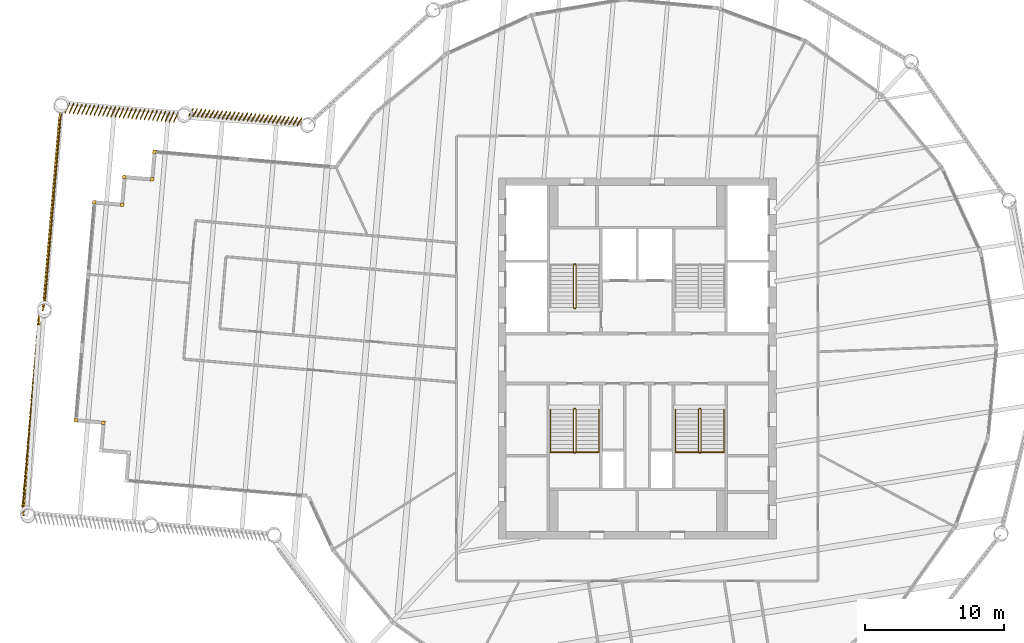
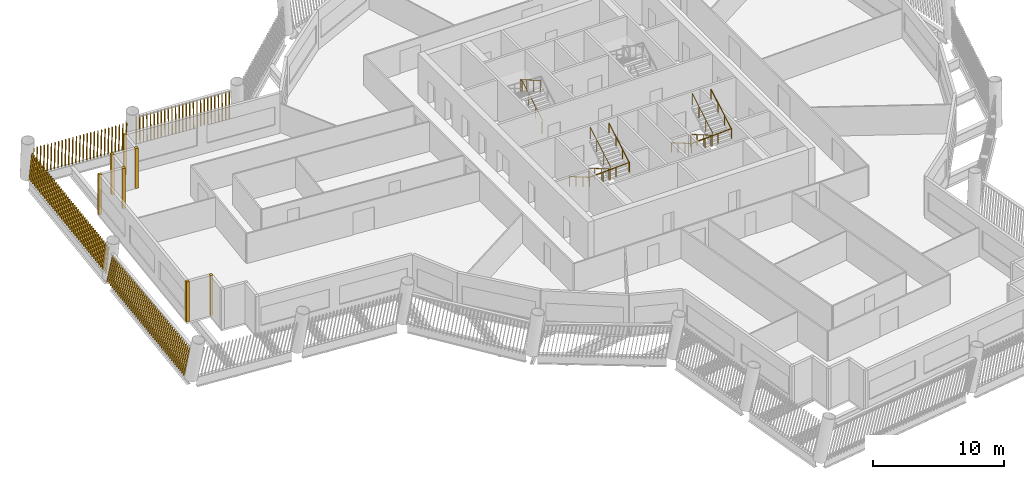
# One storey, part 11 of 14: 11 shading devices, 5 railings.
"""IFC4 building model written with IfcOpenShell, lengths in metres."""

from ifc_helpers import new_model, si_unit, direction, frame, frame_2d, origin, origin_2d, place, context, subcontext, project, spatial, rectangle, circle, composite_profile, extrude, material, type_object, element, save


model = new_model("IFC4")

# Units and contexts
model_context = context("Model", 3, precision=1e-05, world=origin(), true_north=direction((0.0, 1.0)))
body_context = subcontext(model_context, "Body", "Model", "MODEL_VIEW")
ifc_project = project(units=[si_unit("LENGTHUNIT", "METRE"), si_unit("AREAUNIT", "SQUARE_METRE"), si_unit("VOLUMEUNIT", "CUBIC_METRE"), si_unit("PLANEANGLEUNIT", "RADIAN"), si_unit("MASSUNIT", "GRAM", prefix="KILO")], contexts=[model_context])

# Site, building, storey
site_placement = place(None, origin())
site = spatial("IfcSite", under=ifc_project, at=site_placement, CompositionType="ELEMENT")
building_placement = place(site_placement, origin())
building = spatial("IfcBuilding", under=site, at=building_placement, Name="Tarsis Ring Headquarters", CompositionType="ELEMENT")
storey_placement = place(building_placement, frame((0.0, 0.0, 266.89990234375)))
storey = spatial("IfcBuildingStorey", under=building, at=storey_placement, Name="L62", CompositionType="ELEMENT", Elevation=266.89990234375)

# Railings
ifc_material_1 = material(Name="Steel S355", Category="steel")
railing_type_1 = type_object("IfcRailingType", Name="Core stair guard 1100", PredefinedType="GUARDRAIL", material=ifc_material_1)
railing_1_placement = place(storey_placement, frame((-4.5400390625, 3.610107421875, 0.0)))
element("IfcRailing", 1, at=railing_1_placement, inside=storey, type_object=railing_type_1, Name="L62 ST1 stair guard 1", PredefinedType="GUARDRAIL", context=body_context, shape_type="SweptSolid", body=[
    extrude(circle(Radius=0.02392578125, at=origin_2d()), frame((0.0, 0.0, 1.076171875), z_axis=(1.0, 0.0, 0.0), x_axis=(0.0, 1.0, 0.0)), (0.0, 0.0, 1.0), 0.080078125),
    extrude(circle(Radius=0.02392578125, at=origin_2d()), frame((0.080078125, 0.0, 1.076171875), z_axis=(0.282336740067, 0.280959487676, 0.917250092119), x_axis=(-0.705375805398, 0.708833529934, 0.0)), (0.0, 0.0, 1.0), 0.17724609375),
    extrude(circle(Radius=0.02392578125, at=origin_2d()), frame((0.130126953125, 0.0498046875, 1.23876953125), z_axis=(0.0, 0.864890721111, 0.501960198159), x_axis=(-1.0, 0.0, 0.0)), (0.0, 0.0, 1.0), 3.561279296875),
    extrude(circle(Radius=0.02392578125, at=origin_2d()), frame((0.130126953125, 3.1298828125, 3.0263671875), z_axis=(-0.707106781187, 0.707106781187, 0.0), x_axis=(-0.707106781187, -0.707106781187, 0.0)), (0.0, 0.0, 1.0), 0.07080078125),
    extrude(circle(Radius=0.02392578125, at=origin_2d()), frame((0.080078125, 3.179931640625, 3.0263671875), z_axis=(-1.0, 0.0, 0.0), x_axis=(0.0, -1.0, 0.0)), (0.0, 0.0, 1.0), 0.080078125),
    extrude(circle(Radius=0.02392578125, at=origin_2d()), frame((0.0, 3.179931640625, 3.0263671875), z_axis=(-0.282583949758, -0.282583949758, 0.916674763849), x_axis=(0.707106781187, -0.707106781187, 0.0)), (0.0, 0.0, 1.0), 0.177001953125),
    extrude(circle(Radius=0.02392578125, at=origin_2d()), frame((-0.050048828125, 3.1298828125, 3.1884765625), z_axis=(0.0, -0.864890721111, 0.501960198159), x_axis=(1.0, 0.0, 0.0)), (0.0, 0.0, 1.0), 3.561279296875),
    extrude(circle(Radius=0.02099609375, at=origin_2d()), origin(), (0.0, 0.0, 1.0), 1.052001953125),
    extrude(circle(Radius=0.02099609375, at=origin_2d()), frame((0.080078125, 0.0, 0.0)), (0.0, 0.0, 1.0), 1.052001953125),
    extrude(circle(Radius=0.02099609375, at=origin_2d()), frame((0.130126953125, 0.0498046875, 0.16259765625)), (0.0, 0.0, 1.0), 1.052001953125),
    extrude(circle(Radius=0.02099609375, at=origin_2d()), frame((0.130126953125, 1.076416015625, 0.758544921875)), (0.0, 0.0, 1.0), 1.052001953125),
    extrude(circle(Radius=0.02099609375, at=origin_2d()), frame((0.130126953125, 2.103271484375, 1.354248046875)), (0.0, 0.0, 1.0), 1.052001953125),
    extrude(circle(Radius=0.02099609375, at=origin_2d()), frame((0.130126953125, 3.1298828125, 1.9501953125)), (0.0, 0.0, 1.0), 1.052001953125),
    extrude(circle(Radius=0.02099609375, at=origin_2d()), frame((0.080078125, 3.179931640625, 1.9501953125)), (0.0, 0.0, 1.0), 1.052001953125),
    extrude(circle(Radius=0.02099609375, at=origin_2d()), frame((0.0, 3.179931640625, 1.9501953125)), (0.0, 0.0, 1.0), 1.052001953125),
    extrude(circle(Radius=0.02099609375, at=origin_2d()), frame((-0.050048828125, 3.1298828125, 2.112548828125)), (0.0, 0.0, 1.0), 1.052001953125),
    extrude(circle(Radius=0.02099609375, at=origin_2d()), frame((-0.050048828125, 2.103271484375, 2.70849609375)), (0.0, 0.0, 1.0), 1.052001953125),
    extrude(circle(Radius=0.02099609375, at=origin_2d()), frame((-0.050048828125, 1.076416015625, 3.30419921875)), (0.0, 0.0, 1.0), 1.052001953125),
    extrude(circle(Radius=0.02099609375, at=origin_2d()), frame((-0.050048828125, 0.0498046875, 3.900146484375)), (0.0, 0.0, 1.0), 1.052001953125),
])
railing_2_placement = place(storey_placement, frame((-4.4599609375, -3.610107421875, 0.0)))
element("IfcRailing", 2, at=railing_2_placement, inside=storey, type_object=railing_type_1, Name="L62 ST3 stair guard 1", PredefinedType="GUARDRAIL", context=body_context, shape_type="SweptSolid", body=[
    extrude(circle(Radius=0.02392578125, at=origin_2d()), frame((0.0, 0.0, 1.076171875), z_axis=(-1.0, 0.0, 0.0), x_axis=(0.0, -1.0, 0.0)), (0.0, 0.0, 1.0), 0.080078125),
    extrude(circle(Radius=0.02392578125, at=origin_2d()), frame((-0.080078125, 0.0, 1.076171875), z_axis=(-0.282336740067, -0.280959487676, 0.917250092119), x_axis=(0.705375805398, -0.708833529934, 0.0)), (0.0, 0.0, 1.0), 0.17724609375),
    extrude(circle(Radius=0.02392578125, at=origin_2d()), frame((-0.130126953125, -0.0498046875, 1.23876953125), z_axis=(0.0, -0.864890721111, 0.501960198159), x_axis=(1.0, 0.0, 0.0)), (0.0, 0.0, 1.0), 3.561279296875),
    extrude(circle(Radius=0.02392578125, at=origin_2d()), frame((-0.130126953125, -3.1298828125, 3.0263671875), z_axis=(0.707106781187, -0.707106781187, 0.0), x_axis=(0.707106781187, 0.707106781187, 0.0)), (0.0, 0.0, 1.0), 0.07080078125),
    extrude(circle(Radius=0.02392578125, at=origin_2d()), frame((-0.080078125, -3.179931640625, 3.0263671875), z_axis=(1.0, 0.0, 0.0), x_axis=(0.0, 1.0, 0.0)), (0.0, 0.0, 1.0), 0.080078125),
    extrude(circle(Radius=0.02392578125, at=origin_2d()), frame((0.0, -3.179931640625, 3.0263671875), z_axis=(0.282583949758, 0.282583949758, 0.916674763849), x_axis=(-0.707106781187, 0.707106781187, 0.0)), (0.0, 0.0, 1.0), 0.177001953125),
    extrude(circle(Radius=0.02392578125, at=origin_2d()), frame((0.050048828125, -3.1298828125, 3.1884765625), z_axis=(0.0, 0.864890721111, 0.501960198159), x_axis=(-1.0, 0.0, 0.0)), (0.0, 0.0, 1.0), 3.561279296875),
    extrude(circle(Radius=0.02099609375, at=origin_2d()), origin(), (0.0, 0.0, 1.0), 1.052001953125),
    extrude(circle(Radius=0.02099609375, at=origin_2d()), frame((-0.080078125, 0.0, 0.0)), (0.0, 0.0, 1.0), 1.052001953125),
    extrude(circle(Radius=0.02099609375, at=origin_2d()), frame((-0.130126953125, -0.0498046875, 0.16259765625)), (0.0, 0.0, 1.0), 1.052001953125),
    extrude(circle(Radius=0.02099609375, at=origin_2d()), frame((-0.130126953125, -1.076416015625, 0.758544921875)), (0.0, 0.0, 1.0), 1.052001953125),
    extrude(circle(Radius=0.02099609375, at=origin_2d()), frame((-0.130126953125, -2.103271484375, 1.354248046875)), (0.0, 0.0, 1.0), 1.052001953125),
    extrude(circle(Radius=0.02099609375, at=origin_2d()), frame((-0.130126953125, -3.1298828125, 1.9501953125)), (0.0, 0.0, 1.0), 1.052001953125),
    extrude(circle(Radius=0.02099609375, at=origin_2d()), frame((-0.080078125, -3.179931640625, 1.9501953125)), (0.0, 0.0, 1.0), 1.052001953125),
    extrude(circle(Radius=0.02099609375, at=origin_2d()), frame((0.0, -3.179931640625, 1.9501953125)), (0.0, 0.0, 1.0), 1.052001953125),
    extrude(circle(Radius=0.02099609375, at=origin_2d()), frame((0.050048828125, -3.1298828125, 2.112548828125)), (0.0, 0.0, 1.0), 1.052001953125),
    extrude(circle(Radius=0.02099609375, at=origin_2d()), frame((0.050048828125, -2.103271484375, 2.70849609375)), (0.0, 0.0, 1.0), 1.052001953125),
    extrude(circle(Radius=0.02099609375, at=origin_2d()), frame((0.050048828125, -1.076416015625, 3.30419921875)), (0.0, 0.0, 1.0), 1.052001953125),
    extrude(circle(Radius=0.02099609375, at=origin_2d()), frame((0.050048828125, -0.0498046875, 3.900146484375)), (0.0, 0.0, 1.0), 1.052001953125),
])
railing_3_placement = place(storey_placement, frame((4.5400390625, -3.610107421875, 0.0)))
element("IfcRailing", 3, at=railing_3_placement, inside=storey, type_object=railing_type_1, Name="L62 ST4 stair guard 1", PredefinedType="GUARDRAIL", context=body_context, shape_type="SweptSolid", body=[
    extrude(circle(Radius=0.02392578125, at=origin_2d()), frame((0.0, 0.0, 1.076171875), z_axis=(-1.0, 0.0, 0.0), x_axis=(0.0, -1.0, 0.0)), (0.0, 0.0, 1.0), 0.080078125),
    extrude(circle(Radius=0.02392578125, at=origin_2d()), frame((-0.080078125, 0.0, 1.076171875), z_axis=(-0.282336740067, -0.280959487676, 0.917250092119), x_axis=(0.705375805398, -0.708833529934, 0.0)), (0.0, 0.0, 1.0), 0.17724609375),
    extrude(circle(Radius=0.02392578125, at=origin_2d()), frame((-0.130126953125, -0.0498046875, 1.23876953125), z_axis=(0.0, -0.864890721111, 0.501960198159), x_axis=(1.0, 0.0, 0.0)), (0.0, 0.0, 1.0), 3.561279296875),
    extrude(circle(Radius=0.02392578125, at=origin_2d()), frame((-0.130126953125, -3.1298828125, 3.0263671875), z_axis=(0.707106781187, -0.707106781187, 0.0), x_axis=(0.707106781187, 0.707106781187, 0.0)), (0.0, 0.0, 1.0), 0.07080078125),
    extrude(circle(Radius=0.02392578125, at=origin_2d()), frame((-0.080078125, -3.179931640625, 3.0263671875), z_axis=(1.0, 0.0, 0.0), x_axis=(0.0, 1.0, 0.0)), (0.0, 0.0, 1.0), 0.080078125),
    extrude(circle(Radius=0.02392578125, at=origin_2d()), frame((0.0, -3.179931640625, 3.0263671875), z_axis=(0.282583949758, 0.282583949758, 0.916674763849), x_axis=(-0.707106781187, 0.707106781187, 0.0)), (0.0, 0.0, 1.0), 0.177001953125),
    extrude(circle(Radius=0.02392578125, at=origin_2d()), frame((0.050048828125, -3.1298828125, 3.1884765625), z_axis=(0.0, 0.864890721111, 0.501960198159), x_axis=(-1.0, 0.0, 0.0)), (0.0, 0.0, 1.0), 3.561279296875),
    extrude(circle(Radius=0.02099609375, at=origin_2d()), origin(), (0.0, 0.0, 1.0), 1.052001953125),
    extrude(circle(Radius=0.02099609375, at=origin_2d()), frame((-0.080078125, 0.0, 0.0)), (0.0, 0.0, 1.0), 1.052001953125),
    extrude(circle(Radius=0.02099609375, at=origin_2d()), frame((-0.130126953125, -0.0498046875, 0.16259765625)), (0.0, 0.0, 1.0), 1.052001953125),
    extrude(circle(Radius=0.02099609375, at=origin_2d()), frame((-0.130126953125, -1.076416015625, 0.758544921875)), (0.0, 0.0, 1.0), 1.052001953125),
    extrude(circle(Radius=0.02099609375, at=origin_2d()), frame((-0.130126953125, -2.103271484375, 1.354248046875)), (0.0, 0.0, 1.0), 1.052001953125),
    extrude(circle(Radius=0.02099609375, at=origin_2d()), frame((-0.130126953125, -3.1298828125, 1.9501953125)), (0.0, 0.0, 1.0), 1.052001953125),
    extrude(circle(Radius=0.02099609375, at=origin_2d()), frame((-0.080078125, -3.179931640625, 1.9501953125)), (0.0, 0.0, 1.0), 1.052001953125),
    extrude(circle(Radius=0.02099609375, at=origin_2d()), frame((0.0, -3.179931640625, 1.9501953125)), (0.0, 0.0, 1.0), 1.052001953125),
    extrude(circle(Radius=0.02099609375, at=origin_2d()), frame((0.050048828125, -3.1298828125, 2.112548828125)), (0.0, 0.0, 1.0), 1.052001953125),
    extrude(circle(Radius=0.02099609375, at=origin_2d()), frame((0.050048828125, -2.103271484375, 2.70849609375)), (0.0, 0.0, 1.0), 1.052001953125),
    extrude(circle(Radius=0.02099609375, at=origin_2d()), frame((0.050048828125, -1.076416015625, 3.30419921875)), (0.0, 0.0, 1.0), 1.052001953125),
    extrude(circle(Radius=0.02099609375, at=origin_2d()), frame((0.050048828125, -0.0498046875, 3.900146484375)), (0.0, 0.0, 1.0), 1.052001953125),
])
railing_type_2 = type_object("IfcRailingType", Name="Core stair handrail 900", PredefinedType="HANDRAIL", material=ifc_material_1)
railing_4_placement = place(storey_placement, frame((-6.25, -3.659912109375, 0.16259765625)))
element("IfcRailing", 4, at=railing_4_placement, inside=storey, type_object=railing_type_2, Name="L62 ST3 stair handrail 1", PredefinedType="HANDRAIL", context=body_context, shape_type="SweptSolid", body=[
    extrude(circle(Radius=0.02392578125, at=origin_2d()), frame((0.0, 0.0, 0.8759765625), z_axis=(0.0, -0.864890721111, 0.501960198159), x_axis=(1.0, 0.0, 0.0)), (0.0, 0.0, 1.0), 3.561279296875),
    extrude(circle(Radius=0.02392578125, at=origin_2d()), frame((0.0, -3.080078125, 2.66357421875), z_axis=(0.998925869279, 0.0, 0.04633689335), x_axis=(0.0, 1.0, 0.0)), (0.0, 0.0, 1.0), 3.503662109375),
    extrude(circle(Radius=0.02392578125, at=origin_2d()), frame((3.5, -3.080078125, 2.82568359375), z_axis=(0.0, 0.864890721111, 0.501960198159), x_axis=(-1.0, 0.0, 0.0)), (0.0, 0.0, 1.0), 3.561279296875),
    extrude(circle(Radius=0.02099609375, at=origin_2d()), origin(), (0.0, 0.0, 1.0), 0.851806640625),
    extrude(circle(Radius=0.02099609375, at=origin_2d()), frame((0.0, -1.026611328125, 0.595947265625)), (0.0, 0.0, 1.0), 0.851806640625),
    extrude(circle(Radius=0.02099609375, at=origin_2d()), frame((0.0, -2.053466796875, 1.191650390625)), (0.0, 0.0, 1.0), 0.851806640625),
    extrude(circle(Radius=0.02099609375, at=origin_2d()), frame((0.0, -3.080078125, 1.78759765625)), (0.0, 0.0, 1.0), 0.851806640625),
    extrude(circle(Radius=0.02099609375, at=origin_2d()), frame((1.166748046875, -3.080078125, 1.841796875)), (0.0, 0.0, 1.0), 0.851806640625),
    extrude(circle(Radius=0.02099609375, at=origin_2d()), frame((2.333251953125, -3.080078125, 1.895751953125)), (0.0, 0.0, 1.0), 0.851806640625),
    extrude(circle(Radius=0.02099609375, at=origin_2d()), frame((3.5, -3.080078125, 1.949951171875)), (0.0, 0.0, 1.0), 0.851806640625),
    extrude(circle(Radius=0.02099609375, at=origin_2d()), frame((3.5, -2.053466796875, 2.5458984375)), (0.0, 0.0, 1.0), 0.851806640625),
    extrude(circle(Radius=0.02099609375, at=origin_2d()), frame((3.5, -1.026611328125, 3.1416015625)), (0.0, 0.0, 1.0), 0.851806640625),
    extrude(circle(Radius=0.02099609375, at=origin_2d()), frame((3.5, 0.0, 3.737548828125)), (0.0, 0.0, 1.0), 0.851806640625),
])
railing_5_placement = place(storey_placement, frame((2.75, -3.659912109375, 0.16259765625)))
element("IfcRailing", 5, at=railing_5_placement, inside=storey, type_object=railing_type_2, Name="L62 ST4 stair handrail 1", PredefinedType="HANDRAIL", context=body_context, shape_type="SweptSolid", body=[
    extrude(circle(Radius=0.02392578125, at=origin_2d()), frame((0.0, 0.0, 0.8759765625), z_axis=(0.0, -0.864890721111, 0.501960198159), x_axis=(1.0, 0.0, 0.0)), (0.0, 0.0, 1.0), 3.561279296875),
    extrude(circle(Radius=0.02392578125, at=origin_2d()), frame((0.0, -3.080078125, 2.66357421875), z_axis=(0.998925869279, 0.0, 0.04633689335), x_axis=(0.0, 1.0, 0.0)), (0.0, 0.0, 1.0), 3.503662109375),
    extrude(circle(Radius=0.02392578125, at=origin_2d()), frame((3.5, -3.080078125, 2.82568359375), z_axis=(0.0, 0.864890721111, 0.501960198159), x_axis=(-1.0, 0.0, 0.0)), (0.0, 0.0, 1.0), 3.561279296875),
    extrude(circle(Radius=0.02099609375, at=origin_2d()), origin(), (0.0, 0.0, 1.0), 0.851806640625),
    extrude(circle(Radius=0.02099609375, at=origin_2d()), frame((0.0, -1.026611328125, 0.595947265625)), (0.0, 0.0, 1.0), 0.851806640625),
    extrude(circle(Radius=0.02099609375, at=origin_2d()), frame((0.0, -2.053466796875, 1.191650390625)), (0.0, 0.0, 1.0), 0.851806640625),
    extrude(circle(Radius=0.02099609375, at=origin_2d()), frame((0.0, -3.080078125, 1.78759765625)), (0.0, 0.0, 1.0), 0.851806640625),
    extrude(circle(Radius=0.02099609375, at=origin_2d()), frame((1.166748046875, -3.080078125, 1.841796875)), (0.0, 0.0, 1.0), 0.851806640625),
    extrude(circle(Radius=0.02099609375, at=origin_2d()), frame((2.333251953125, -3.080078125, 1.895751953125)), (0.0, 0.0, 1.0), 0.851806640625),
    extrude(circle(Radius=0.02099609375, at=origin_2d()), frame((3.5, -3.080078125, 1.949951171875)), (0.0, 0.0, 1.0), 0.851806640625),
    extrude(circle(Radius=0.02099609375, at=origin_2d()), frame((3.5, -2.053466796875, 2.5458984375)), (0.0, 0.0, 1.0), 0.851806640625),
    extrude(circle(Radius=0.02099609375, at=origin_2d()), frame((3.5, -1.026611328125, 3.1416015625)), (0.0, 0.0, 1.0), 0.851806640625),
    extrude(circle(Radius=0.02099609375, at=origin_2d()), frame((3.5, 0.0, 3.737548828125)), (0.0, 0.0, 1.0), 0.851806640625),
])

# Shading devices
ifc_material_2 = material(Name="Terracotta baguette", Category="masonry")
shading_device_type_1 = type_object("IfcShadingDeviceType", Name="Terracotta baguette screen", PredefinedType="USERDEFINED", material=ifc_material_2)
shading_device_1_placement = place(storey_placement, frame((-24.112060546875, 17.288818359375, 0.0), z_axis=(0.0, 0.0, 1.0), x_axis=(-0.996385318833, 0.085084033613, 0.0)))
element("IfcShadingDevice", 6, at=shading_device_1_placement, inside=storey, type_object=shading_device_type_1, Name="Baguette screen L62-15", ObjectType="Terracotta baguette screen", PredefinedType="USERDEFINED", context=body_context, shape_type="SweptSolid", body=[
    extrude(composite_profile([rectangle(XDim=0.06005859375, YDim=0.1201171875, at=frame_2d((0.030029296875, 0.0))), rectangle(XDim=0.06005859375, YDim=0.1201171875, at=frame_2d((0.33154296875, 0.0))), rectangle(XDim=0.06005859375, YDim=0.1201171875, at=frame_2d((0.63330078125, 0.0))), rectangle(XDim=0.06005859375, YDim=0.1201171875, at=frame_2d((0.934814453125, 0.0))), rectangle(XDim=0.06005859375, YDim=0.1201171875, at=frame_2d((1.236572265625, 0.0))), rectangle(XDim=0.06005859375, YDim=0.1201171875, at=frame_2d((1.5380859375, 0.0))), rectangle(XDim=0.06005859375, YDim=0.1201171875, at=frame_2d((1.83984375, 0.0))), rectangle(XDim=0.06005859375, YDim=0.1201171875, at=frame_2d((2.141357421875, 0.0))), rectangle(XDim=0.06005859375, YDim=0.1201171875, at=frame_2d((2.443115234375, 0.0))), rectangle(XDim=0.06005859375, YDim=0.1201171875, at=frame_2d((2.74462890625, 0.0))), rectangle(XDim=0.06005859375, YDim=0.1201171875, at=frame_2d((3.04638671875, 0.0))), rectangle(XDim=0.06005859375, YDim=0.1201171875, at=frame_2d((3.347900390625, 0.0))), rectangle(XDim=0.06005859375, YDim=0.1201171875, at=frame_2d((3.649658203125, 0.0))), rectangle(XDim=0.06005859375, YDim=0.1201171875, at=frame_2d((3.951171875, 0.0))), rectangle(XDim=0.06005859375, YDim=0.1201171875, at=frame_2d((4.252685546875, 0.0))), rectangle(XDim=0.06005859375, YDim=0.1201171875, at=frame_2d((4.554443359375, 0.0))), rectangle(XDim=0.06005859375, YDim=0.1201171875, at=frame_2d((4.85595703125, 0.0))), rectangle(XDim=0.06005859375, YDim=0.1201171875, at=frame_2d((5.15771484375, 0.0))), rectangle(XDim=0.06005859375, YDim=0.1201171875, at=frame_2d((5.459228515625, 0.0))), rectangle(XDim=0.06005859375, YDim=0.1201171875, at=frame_2d((5.760986328125, 0.0))), rectangle(XDim=0.06005859375, YDim=0.1201171875, at=frame_2d((6.0625, 0.0))), rectangle(XDim=0.06005859375, YDim=0.1201171875, at=frame_2d((6.3642578125, 0.0))), rectangle(XDim=0.06005859375, YDim=0.1201171875, at=frame_2d((6.665771484375, 0.0))), rectangle(XDim=0.06005859375, YDim=0.1201171875, at=frame_2d((6.967529296875, 0.0))), rectangle(XDim=0.06005859375, YDim=0.1201171875, at=frame_2d((7.26904296875, 0.0))), rectangle(XDim=0.06005859375, YDim=0.1201171875, at=frame_2d((7.57080078125, 0.0))), rectangle(XDim=0.06005859375, YDim=0.1201171875, at=frame_2d((7.872314453125, 0.0)))]), origin(), (0.086100267901, 0.170723852944, 0.981549850952), 3.02392578125),
])
shading_device_2_placement = place(storey_placement, frame((-33.01416015625, 17.672607421875, 0.0), z_axis=(0.0, 0.0, 1.0), x_axis=(-0.996385207155, 0.085055766676, 0.0)))
element("IfcShadingDevice", 7, at=shading_device_2_placement, inside=storey, type_object=shading_device_type_1, Name="Baguette screen L62-16", ObjectType="Terracotta baguette screen", PredefinedType="USERDEFINED", context=body_context, shape_type="SweptSolid", body=[
    extrude(composite_profile([rectangle(XDim=0.06005859375, YDim=0.1201171875, at=frame_2d((0.030029296875, 0.0))), rectangle(XDim=0.06005859375, YDim=0.1201171875, at=frame_2d((0.33154296875, 0.0))), rectangle(XDim=0.06005859375, YDim=0.1201171875, at=frame_2d((0.63330078125, 0.0))), rectangle(XDim=0.06005859375, YDim=0.1201171875, at=frame_2d((0.934814453125, 0.0))), rectangle(XDim=0.06005859375, YDim=0.1201171875, at=frame_2d((1.236572265625, 0.0))), rectangle(XDim=0.06005859375, YDim=0.1201171875, at=frame_2d((1.5380859375, 0.0))), rectangle(XDim=0.06005859375, YDim=0.1201171875, at=frame_2d((1.83984375, 0.0))), rectangle(XDim=0.06005859375, YDim=0.1201171875, at=frame_2d((2.141357421875, 0.0))), rectangle(XDim=0.06005859375, YDim=0.1201171875, at=frame_2d((2.443115234375, 0.0))), rectangle(XDim=0.06005859375, YDim=0.1201171875, at=frame_2d((2.74462890625, 0.0))), rectangle(XDim=0.06005859375, YDim=0.1201171875, at=frame_2d((3.04638671875, 0.0))), rectangle(XDim=0.06005859375, YDim=0.1201171875, at=frame_2d((3.347900390625, 0.0))), rectangle(XDim=0.06005859375, YDim=0.1201171875, at=frame_2d((3.649658203125, 0.0))), rectangle(XDim=0.06005859375, YDim=0.1201171875, at=frame_2d((3.951171875, 0.0))), rectangle(XDim=0.06005859375, YDim=0.1201171875, at=frame_2d((4.252685546875, 0.0))), rectangle(XDim=0.06005859375, YDim=0.1201171875, at=frame_2d((4.554443359375, 0.0))), rectangle(XDim=0.06005859375, YDim=0.1201171875, at=frame_2d((4.85595703125, 0.0))), rectangle(XDim=0.06005859375, YDim=0.1201171875, at=frame_2d((5.15771484375, 0.0))), rectangle(XDim=0.06005859375, YDim=0.1201171875, at=frame_2d((5.459228515625, 0.0))), rectangle(XDim=0.06005859375, YDim=0.1201171875, at=frame_2d((5.760986328125, 0.0))), rectangle(XDim=0.06005859375, YDim=0.1201171875, at=frame_2d((6.0625, 0.0))), rectangle(XDim=0.06005859375, YDim=0.1201171875, at=frame_2d((6.3642578125, 0.0))), rectangle(XDim=0.06005859375, YDim=0.1201171875, at=frame_2d((6.665771484375, 0.0))), rectangle(XDim=0.06005859375, YDim=0.1201171875, at=frame_2d((6.967529296875, 0.0))), rectangle(XDim=0.06005859375, YDim=0.1201171875, at=frame_2d((7.26904296875, 0.0))), rectangle(XDim=0.06005859375, YDim=0.1201171875, at=frame_2d((7.57080078125, 0.0))), rectangle(XDim=0.06005859375, YDim=0.1201171875, at=frame_2d((7.872314453125, 0.0)))]), origin(), (0.082681388396, 0.219923727619, 0.972006863167), 3.053466796875),
])
shading_device_3_placement = place(storey_placement, frame((-41.428466796875, 17.88916015625, 0.0), z_axis=(0.0, 0.0, 1.0), x_axis=(-0.085059708094, -0.996373286157, 0.0)))
element("IfcShadingDevice", 8, at=shading_device_3_placement, inside=storey, type_object=shading_device_type_1, Name="Baguette screen L62-17", ObjectType="Terracotta baguette screen", PredefinedType="USERDEFINED", context=body_context, shape_type="SweptSolid", body=[
    extrude(composite_profile([rectangle(XDim=0.06005859375, YDim=0.1201171875, at=frame_2d((0.030029296875, 0.0))), rectangle(XDim=0.06005859375, YDim=0.1201171875, at=frame_2d((0.33544921875, 0.0))), rectangle(XDim=0.06005859375, YDim=0.1201171875, at=frame_2d((0.640625, 0.0))), rectangle(XDim=0.06005859375, YDim=0.1201171875, at=frame_2d((0.946044921875, 0.0))), rectangle(XDim=0.06005859375, YDim=0.1201171875, at=frame_2d((1.25146484375, 0.0))), rectangle(XDim=0.06005859375, YDim=0.1201171875, at=frame_2d((1.556640625, 0.0))), rectangle(XDim=0.06005859375, YDim=0.1201171875, at=frame_2d((1.862060546875, 0.0))), rectangle(XDim=0.06005859375, YDim=0.1201171875, at=frame_2d((2.16748046875, 0.0))), rectangle(XDim=0.06005859375, YDim=0.1201171875, at=frame_2d((2.47265625, 0.0))), rectangle(XDim=0.06005859375, YDim=0.1201171875, at=frame_2d((2.778076171875, 0.0))), rectangle(XDim=0.06005859375, YDim=0.1201171875, at=frame_2d((3.08349609375, 0.0))), rectangle(XDim=0.06005859375, YDim=0.1201171875, at=frame_2d((3.388671875, 0.0))), rectangle(XDim=0.06005859375, YDim=0.1201171875, at=frame_2d((3.694091796875, 0.0))), rectangle(XDim=0.06005859375, YDim=0.1201171875, at=frame_2d((3.99951171875, 0.0))), rectangle(XDim=0.06005859375, YDim=0.1201171875, at=frame_2d((4.3046875, 0.0))), rectangle(XDim=0.06005859375, YDim=0.1201171875, at=frame_2d((4.610107421875, 0.0))), rectangle(XDim=0.06005859375, YDim=0.1201171875, at=frame_2d((4.91552734375, 0.0))), rectangle(XDim=0.06005859375, YDim=0.1201171875, at=frame_2d((5.220703125, 0.0))), rectangle(XDim=0.06005859375, YDim=0.1201171875, at=frame_2d((5.526123046875, 0.0))), rectangle(XDim=0.06005859375, YDim=0.1201171875, at=frame_2d((5.83154296875, 0.0))), rectangle(XDim=0.06005859375, YDim=0.1201171875, at=frame_2d((6.13671875, 0.0))), rectangle(XDim=0.06005859375, YDim=0.1201171875, at=frame_2d((6.442138671875, 0.0))), rectangle(XDim=0.06005859375, YDim=0.1201171875, at=frame_2d((6.74755859375, 0.0))), rectangle(XDim=0.06005859375, YDim=0.1201171875, at=frame_2d((7.052734375, 0.0))), rectangle(XDim=0.06005859375, YDim=0.1201171875, at=frame_2d((7.358154296875, 0.0))), rectangle(XDim=0.06005859375, YDim=0.1201171875, at=frame_2d((7.66357421875, 0.0))), rectangle(XDim=0.06005859375, YDim=0.1201171875, at=frame_2d((7.96875, 0.0))), rectangle(XDim=0.06005859375, YDim=0.1201171875, at=frame_2d((8.274169921875, 0.0))), rectangle(XDim=0.06005859375, YDim=0.1201171875, at=frame_2d((8.57958984375, 0.0))), rectangle(XDim=0.06005859375, YDim=0.1201171875, at=frame_2d((8.884765625, 0.0))), rectangle(XDim=0.06005859375, YDim=0.1201171875, at=frame_2d((9.190185546875, 0.0))), rectangle(XDim=0.06005859375, YDim=0.1201171875, at=frame_2d((9.49560546875, 0.0))), rectangle(XDim=0.06005859375, YDim=0.1201171875, at=frame_2d((9.80078125, 0.0))), rectangle(XDim=0.06005859375, YDim=0.1201171875, at=frame_2d((10.106201171875, 0.0))), rectangle(XDim=0.06005859375, YDim=0.1201171875, at=frame_2d((10.41162109375, 0.0))), rectangle(XDim=0.06005859375, YDim=0.1201171875, at=frame_2d((10.716796875, 0.0))), rectangle(XDim=0.06005859375, YDim=0.1201171875, at=frame_2d((11.022216796875, 0.0))), rectangle(XDim=0.06005859375, YDim=0.1201171875, at=frame_2d((11.32763671875, 0.0))), rectangle(XDim=0.06005859375, YDim=0.1201171875, at=frame_2d((11.6328125, 0.0))), rectangle(XDim=0.06005859375, YDim=0.1201171875, at=frame_2d((11.938232421875, 0.0))), rectangle(XDim=0.06005859375, YDim=0.1201171875, at=frame_2d((12.24365234375, 0.0))), rectangle(XDim=0.06005859375, YDim=0.1201171875, at=frame_2d((12.548828125, 0.0))), rectangle(XDim=0.06005859375, YDim=0.1201171875, at=frame_2d((12.854248046875, 0.0))), rectangle(XDim=0.06005859375, YDim=0.1201171875, at=frame_2d((13.15966796875, 0.0))), rectangle(XDim=0.06005859375, YDim=0.1201171875, at=frame_2d((13.46484375, 0.0))), rectangle(XDim=0.06005859375, YDim=0.1201171875, at=frame_2d((13.770263671875, 0.0)))]), origin(), (0.24420948255, -0.040033888936, 0.968895771675), 3.063232421875),
])
shading_device_4_placement = place(storey_placement, frame((-43.06103515625, 3.174560546875, 0.0), z_axis=(0.0, 0.0, 1.0), x_axis=(-0.085061212936, -0.996373221994, 0.0)))
element("IfcShadingDevice", 9, at=shading_device_4_placement, inside=storey, type_object=shading_device_type_1, Name="Baguette screen L62-18", ObjectType="Terracotta baguette screen", PredefinedType="USERDEFINED", context=body_context, shape_type="SweptSolid", body=[
    extrude(composite_profile([rectangle(XDim=0.06005859375, YDim=0.1201171875, at=frame_2d((0.030029296875, 0.0))), rectangle(XDim=0.06005859375, YDim=0.1201171875, at=frame_2d((0.33544921875, 0.0))), rectangle(XDim=0.06005859375, YDim=0.1201171875, at=frame_2d((0.640625, 0.0))), rectangle(XDim=0.06005859375, YDim=0.1201171875, at=frame_2d((0.946044921875, 0.0))), rectangle(XDim=0.06005859375, YDim=0.1201171875, at=frame_2d((1.25146484375, 0.0))), rectangle(XDim=0.06005859375, YDim=0.1201171875, at=frame_2d((1.556640625, 0.0))), rectangle(XDim=0.06005859375, YDim=0.1201171875, at=frame_2d((1.862060546875, 0.0))), rectangle(XDim=0.06005859375, YDim=0.1201171875, at=frame_2d((2.16748046875, 0.0))), rectangle(XDim=0.06005859375, YDim=0.1201171875, at=frame_2d((2.47265625, 0.0))), rectangle(XDim=0.06005859375, YDim=0.1201171875, at=frame_2d((2.778076171875, 0.0))), rectangle(XDim=0.06005859375, YDim=0.1201171875, at=frame_2d((3.08349609375, 0.0))), rectangle(XDim=0.06005859375, YDim=0.1201171875, at=frame_2d((3.388671875, 0.0))), rectangle(XDim=0.06005859375, YDim=0.1201171875, at=frame_2d((3.694091796875, 0.0))), rectangle(XDim=0.06005859375, YDim=0.1201171875, at=frame_2d((3.99951171875, 0.0))), rectangle(XDim=0.06005859375, YDim=0.1201171875, at=frame_2d((4.3046875, 0.0))), rectangle(XDim=0.06005859375, YDim=0.1201171875, at=frame_2d((4.610107421875, 0.0))), rectangle(XDim=0.06005859375, YDim=0.1201171875, at=frame_2d((4.91552734375, 0.0))), rectangle(XDim=0.06005859375, YDim=0.1201171875, at=frame_2d((5.220703125, 0.0))), rectangle(XDim=0.06005859375, YDim=0.1201171875, at=frame_2d((5.526123046875, 0.0))), rectangle(XDim=0.06005859375, YDim=0.1201171875, at=frame_2d((5.83154296875, 0.0))), rectangle(XDim=0.06005859375, YDim=0.1201171875, at=frame_2d((6.13671875, 0.0))), rectangle(XDim=0.06005859375, YDim=0.1201171875, at=frame_2d((6.442138671875, 0.0))), rectangle(XDim=0.06005859375, YDim=0.1201171875, at=frame_2d((6.74755859375, 0.0))), rectangle(XDim=0.06005859375, YDim=0.1201171875, at=frame_2d((7.052734375, 0.0))), rectangle(XDim=0.06005859375, YDim=0.1201171875, at=frame_2d((7.358154296875, 0.0))), rectangle(XDim=0.06005859375, YDim=0.1201171875, at=frame_2d((7.66357421875, 0.0))), rectangle(XDim=0.06005859375, YDim=0.1201171875, at=frame_2d((7.96875, 0.0))), rectangle(XDim=0.06005859375, YDim=0.1201171875, at=frame_2d((8.274169921875, 0.0))), rectangle(XDim=0.06005859375, YDim=0.1201171875, at=frame_2d((8.57958984375, 0.0))), rectangle(XDim=0.06005859375, YDim=0.1201171875, at=frame_2d((8.884765625, 0.0))), rectangle(XDim=0.06005859375, YDim=0.1201171875, at=frame_2d((9.190185546875, 0.0))), rectangle(XDim=0.06005859375, YDim=0.1201171875, at=frame_2d((9.49560546875, 0.0))), rectangle(XDim=0.06005859375, YDim=0.1201171875, at=frame_2d((9.80078125, 0.0))), rectangle(XDim=0.06005859375, YDim=0.1201171875, at=frame_2d((10.106201171875, 0.0))), rectangle(XDim=0.06005859375, YDim=0.1201171875, at=frame_2d((10.41162109375, 0.0))), rectangle(XDim=0.06005859375, YDim=0.1201171875, at=frame_2d((10.716796875, 0.0))), rectangle(XDim=0.06005859375, YDim=0.1201171875, at=frame_2d((11.022216796875, 0.0))), rectangle(XDim=0.06005859375, YDim=0.1201171875, at=frame_2d((11.32763671875, 0.0))), rectangle(XDim=0.06005859375, YDim=0.1201171875, at=frame_2d((11.6328125, 0.0))), rectangle(XDim=0.06005859375, YDim=0.1201171875, at=frame_2d((11.938232421875, 0.0))), rectangle(XDim=0.06005859375, YDim=0.1201171875, at=frame_2d((12.24365234375, 0.0))), rectangle(XDim=0.06005859375, YDim=0.1201171875, at=frame_2d((12.548828125, 0.0))), rectangle(XDim=0.06005859375, YDim=0.1201171875, at=frame_2d((12.854248046875, 0.0))), rectangle(XDim=0.06005859375, YDim=0.1201171875, at=frame_2d((13.15966796875, 0.0))), rectangle(XDim=0.06005859375, YDim=0.1201171875, at=frame_2d((13.46484375, 0.0))), rectangle(XDim=0.06005859375, YDim=0.1201171875, at=frame_2d((13.770263671875, 0.0)))]), origin(), (0.245482439611, 0.044281413534, 0.968389140923), 3.06494140625),
])
shading_device_type_2 = type_object("IfcShadingDeviceType", Name="Terracotta corner baguette 250x250", PredefinedType="USERDEFINED", material=ifc_material_2)
for number, where, z_axis, x_axis, name in (
    (10, (-34.73486328125, 14.8837890625, 0.0), (0.0, 0.0, 1.0), (-0.996375056075, 0.085069075652, 0.0), "Corner baguette L62-32"),
    (11, (-34.90478515625, 12.89111328125, 0.0), (0.0, 0.0, 1.0), (-0.085069493013, -0.996375020441, 0.0), "Corner baguette L62-33"),
    (12, (-36.897705078125, 13.061279296875, 0.0), (0.0, 0.0, 1.0), (-0.996375062014, 0.085069006092, 0.0), "Corner baguette L62-34"),
    (13, (-37.06787109375, 11.068359375, 0.0), (0.0, 0.0, 1.0), (-0.085069006092, -0.996375062014, 0.0), "Corner baguette L62-35"),
    (14, (-39.060546875, 11.238525390625, 0.0), (0.0, 0.0, 1.0), (-0.996375020441, 0.085069493013, 0.0), "Corner baguette L62-36"),
    (15, (-40.400390625, -4.454345703125, 0.0), (0.0, 0.0, 1.0), (-0.085069110432, -0.996375053105, 0.0), "Corner baguette L62-37"),
    (16, (-38.40771484375, -4.62451171875, 0.0), (0.0, 0.0, 1.0), (0.996375105071, -0.085068501782, 0.0), "Corner baguette L62-38"),
):
    element("IfcShadingDevice", number, at=place(storey_placement, frame(where, z_axis=z_axis, x_axis=x_axis)), inside=storey, type_object=shading_device_type_2, Name=name, ObjectType="Terracotta corner baguette", PredefinedType="USERDEFINED", context=body_context, shape_type="SweptSolid", body=[
        extrude(rectangle(XDim=0.25, YDim=0.25, at=origin_2d()), origin(), (0.0, 0.0, 1.0), 3.739990234375),
    ])

save(model, "model.ifc")
